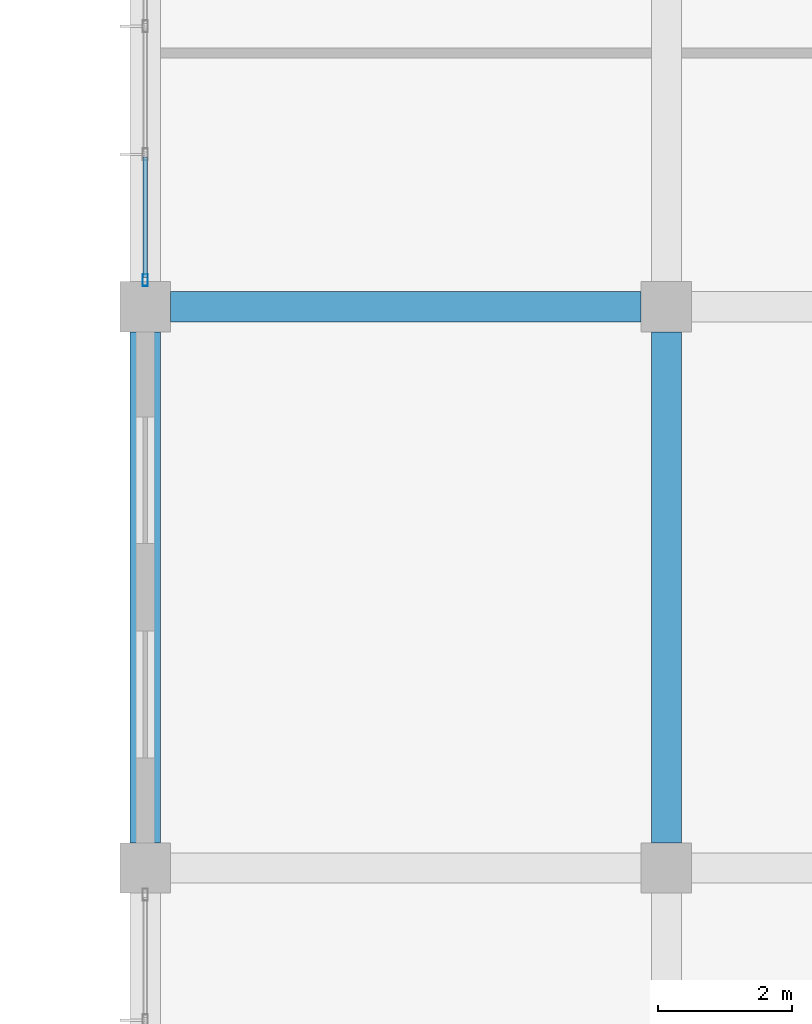
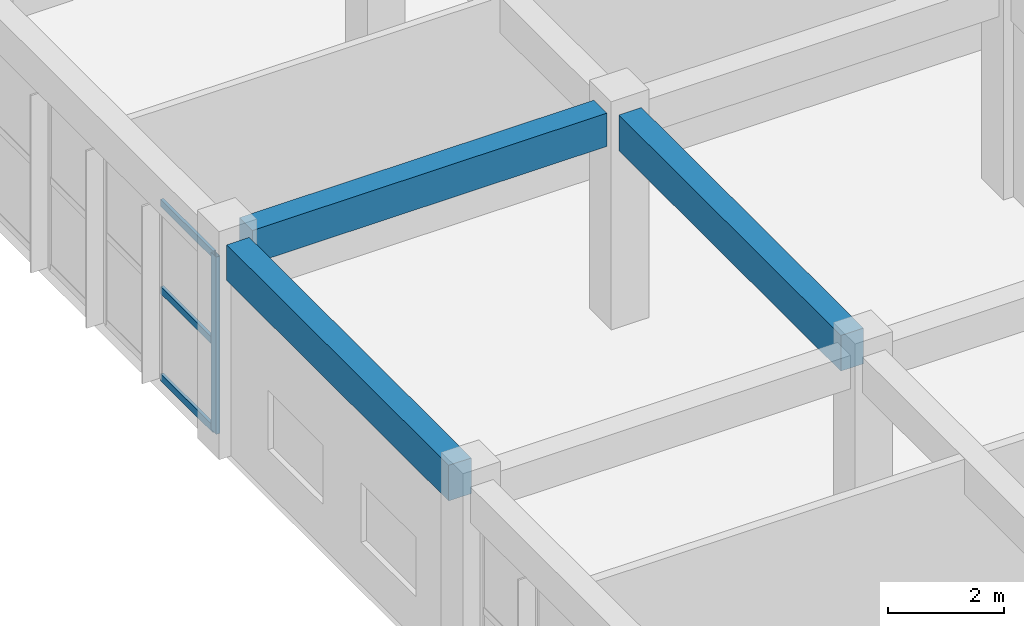
# One storey, part 53 of 167: 4 members, 3 beams, 1 element without a shape of its own.
"""IFC4 building model written with IfcOpenShell, lengths in metres."""

from ifc_helpers import new_model, si_unit, direction, frame, origin, origin_2d, place, context, subcontext, project, spatial, rectangle, hollow_rectangle, extrude, material, layer, layer_set, material_profile, profile_set, type_object, element, aggregate, save


model = new_model("IFC4")

# Units and contexts
model_context = context("Model", 3, precision=1e-05, world=origin(), true_north=direction((0.0, 1.0)))
body_context = subcontext(model_context, "Body", "Model", "MODEL_VIEW")
ifc_project = project(units=[si_unit("LENGTHUNIT", "METRE"), si_unit("AREAUNIT", "SQUARE_METRE"), si_unit("VOLUMEUNIT", "CUBIC_METRE"), si_unit("PLANEANGLEUNIT", "RADIAN"), si_unit("MASSUNIT", "GRAM", prefix="KILO")], contexts=[model_context])

# Site, building, storey
site_placement = place(None, origin())
site = spatial("IfcSite", under=ifc_project, at=site_placement, CompositionType="ELEMENT")
building_placement = place(site_placement, origin())
building = spatial("IfcBuilding", under=site, at=building_placement, Name="Zizhar Promenade General Hospital", CompositionType="ELEMENT")
storey_placement = place(building_placement, frame((0.0, 0.0, 9.60009765625)))
storey = spatial("IfcBuildingStorey", under=building, at=storey_placement, Name="L02", CompositionType="ELEMENT", Elevation=9.60009765625)

# Beams
ifc_material_1 = material(Name="Concrete C35/45", Category="concrete")
ifc_material_profile_1 = material_profile(ifc_material_1, rectangle(XDim=0.449951171875, YDim=0.699951171875, at=origin_2d()))
ifc_profile_set_1 = profile_set([ifc_material_profile_1], Name="Concrete C35/45")
beam_type_1 = type_object("IfcBeamType", Name="BM-RC-450x700", PredefinedType="BEAM", material=ifc_profile_set_1)
beam_placement = place(storey_placement, frame((47.175048828125, 117.60009765625, 4.119873046875), z_axis=(1.0, 0.0, 0.0), x_axis=(0.0, 1.0, 0.0)))
element("IfcBeam", 1, at=beam_placement, inside=storey, type_object=beam_type_1, Name="Grid Beam X L02 (6-14)", PredefinedType="BEAM", context=body_context, shape_type="SweptSolid", body=[
    extrude(rectangle(XDim=0.449951171875, YDim=0.699951171875, at=origin_2d()), origin(), (0.0, 0.0, 1.0), 7.050048828125),
])
ifc_material_2 = material(Name="Concrete C35/45", Category="concrete")
ifc_material_profile_2 = material_profile(ifc_material_2, rectangle(XDim=0.449951171875, YDim=0.75, at=origin_2d()))
ifc_profile_set_2 = profile_set([ifc_material_profile_2], Name="Concrete C35/45")
beam_type_2 = type_object("IfcBeamType", Name="BM-RC-450x750", PredefinedType="BEAM", material=ifc_profile_set_2)
for number, where, z_axis, x_axis, name in (
    (2, (46.800048828125, 109.574951171875, 4.094970703125), (0.0, 1.0, 0.0), (-1.0, 0.0, 0.0), "Grid Beam Y L02 (6-13)"),
    (3, (54.60009765625, 109.574951171875, 4.094970703125), (0.0, 1.0, 0.0), (-1.0, 0.0, 0.0), "Grid Beam Y L02 (7-13)"),
):
    element("IfcBeam", number, at=place(storey_placement, frame(where, z_axis=z_axis, x_axis=x_axis)), inside=storey, type_object=beam_type_2, Name=name, PredefinedType="BEAM", context=body_context, shape_type="SweptSolid", body=[
        extrude(rectangle(XDim=0.449951171875, YDim=0.75, at=origin_2d()), origin(), (0.0, 0.0, 1.0), 7.650146484375),
    ])

# Curtain wall, members
ifc_material_3 = material(Name="Anodised aluminium 6063-T6 and low-E glass", Category="aluminium")
ifc_layer = layer(ifc_material_3, 0.159912109375)
ifc_layer_set = layer_set([ifc_layer], Name="Anodised aluminium 6063-T6 and low-E glass")
curtain_wall_type = type_object("IfcCurtainWallType", Name="CW-DT-MOD1", PredefinedType="NOTDEFINED", material=ifc_layer_set)
curtain_wall_placement = place(storey_placement, origin())
curtain_wall = element("IfcCurtainWall", 4, at=curtain_wall_placement, inside=storey, type_object=curtain_wall_type, Name="Surgical West Glazed Curtain Wall L02-14", PredefinedType="NOTDEFINED")
ifc_material_4 = material(Name="Anodised aluminium 6063-T6", Category="aluminium")
ifc_material_profile_3 = material_profile(ifc_material_4, hollow_rectangle(XDim=0.080078125, YDim=0.179931640625, WallThickness=0.0048828125, at=origin_2d()))
ifc_profile_set_3 = profile_set([ifc_material_profile_3], Name="Anodised aluminium 6063-T6")
member_type_1 = type_object("IfcMemberType", Name="CWM-ALU-180x80", PredefinedType="MULLION", material=ifc_profile_set_3)
member_1_placement = place(storey_placement, frame((46.800048828125, 118.0, 0.0), z_axis=(0.0, 0.0, 1.0), x_axis=(-1.0, 0.0, 0.0)))
member_1 = element("IfcMember", 5, at=member_1_placement, type_object=member_type_1, Name="CW-07 mullion 1", PredefinedType="MULLION", context=body_context, shape_type="SweptSolid", body=[
    extrude(hollow_rectangle(XDim=0.080078125, YDim=0.179931640625, WallThickness=0.0048828125, at=origin_2d()), origin(), (0.0, 0.0, 1.0), 3.72998046875),
])
ifc_material_5 = material(Name="Anodised aluminium 6063-T6", Category="aluminium")
ifc_material_profile_4 = material_profile(ifc_material_5, hollow_rectangle(XDim=0.06005859375, YDim=0.14990234375, WallThickness=0.00390625, at=origin_2d()))
ifc_profile_set_4 = profile_set([ifc_material_profile_4], Name="Anodised aluminium 6063-T6")
member_type_2 = type_object("IfcMemberType", Name="CWT-ALU-150x60", PredefinedType="USERDEFINED", material=ifc_profile_set_4)
member_2_placement = place(storey_placement, frame((46.800048828125, 118.0400390625, 0.02978515625), z_axis=(0.0, 1.0, 0.0), x_axis=(-1.0, 0.0, 0.0)))
member_2 = element("IfcMember", 6, at=member_2_placement, type_object=member_type_2, Name="CW-07 transom 1.1", ObjectType="TRANSOM", PredefinedType="USERDEFINED", context=body_context, shape_type="SweptSolid", body=[
    extrude(hollow_rectangle(XDim=0.06005859375, YDim=0.14990234375, WallThickness=0.00390625, at=origin_2d()), origin(), (0.0, 0.0, 1.0), 1.800048828125),
])
member_3_placement = place(storey_placement, frame((46.800048828125, 118.0400390625, 1.864990234375), z_axis=(0.0, 1.0, 0.0), x_axis=(-1.0, 0.0, 0.0)))
member_3 = element("IfcMember", 7, at=member_3_placement, type_object=member_type_2, Name="CW-07 transom 1.2", ObjectType="TRANSOM", PredefinedType="USERDEFINED", context=body_context, shape_type="SweptSolid", body=[
    extrude(hollow_rectangle(XDim=0.06005859375, YDim=0.14990234375, WallThickness=0.00390625, at=origin_2d()), origin(), (0.0, 0.0, 1.0), 1.800048828125),
])
member_4_placement = place(storey_placement, frame((46.800048828125, 118.0400390625, 3.699951171875), z_axis=(0.0, 1.0, 0.0), x_axis=(-1.0, 0.0, 0.0)))
member_4 = element("IfcMember", 8, at=member_4_placement, type_object=member_type_2, Name="CW-07 transom 1.3", ObjectType="TRANSOM", PredefinedType="USERDEFINED", context=body_context, shape_type="SweptSolid", body=[
    extrude(hollow_rectangle(XDim=0.06005859375, YDim=0.14990234375, WallThickness=0.00390625, at=origin_2d()), origin(), (0.0, 0.0, 1.0), 1.800048828125),
])
aggregate(curtain_wall, [member_1, member_2, member_3, member_4])

save(model, "model.ifc")
